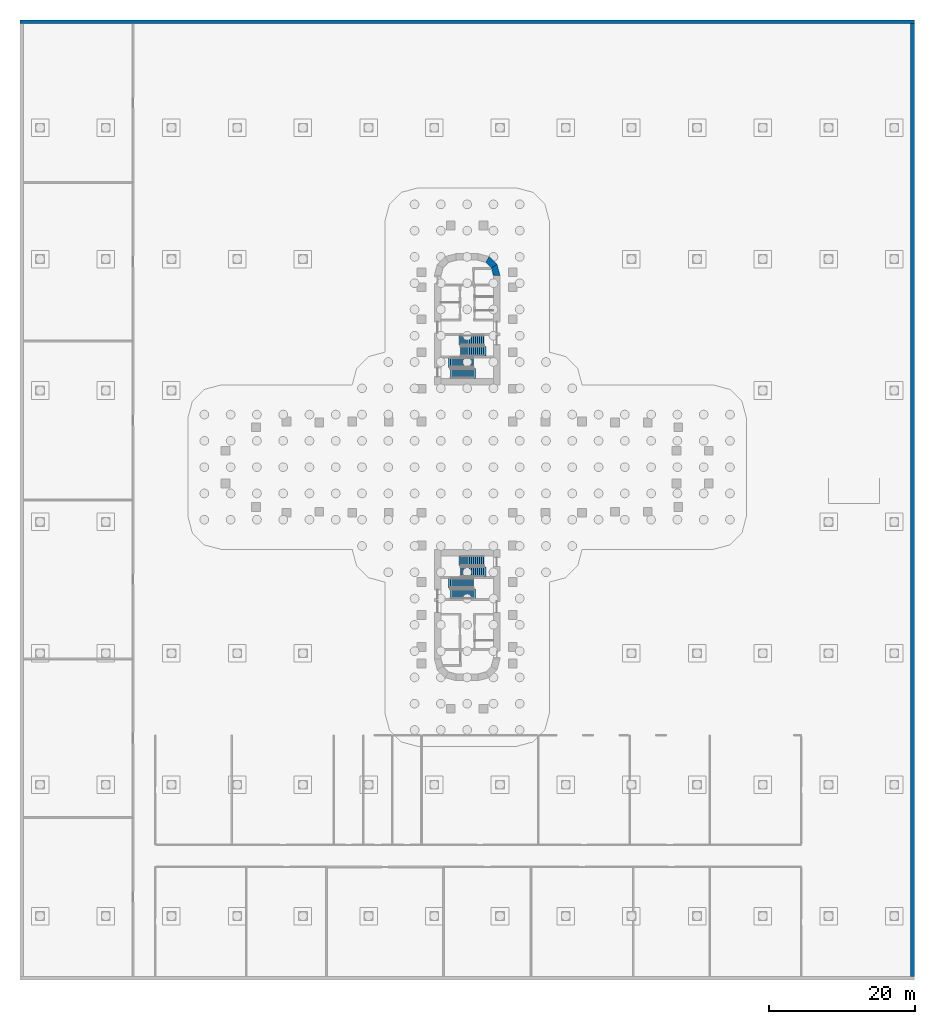
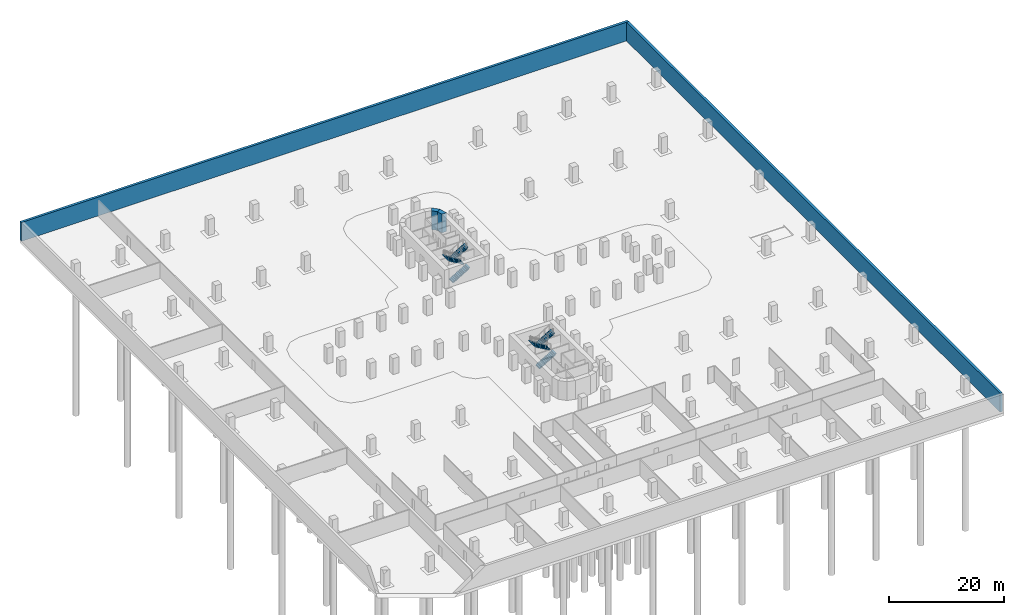
# One storey, part 13 of 14: 8 stair flights, 4 walls, 4 elements without a shape of their own.
"""IFC4 building model written with IfcOpenShell, lengths in metres."""

from ifc_helpers import new_model, si_unit, direction, frame, frame_2d, origin, place, context, subcontext, project, spatial, polyline, rectangle, outline, extrude, material, layer, layer_set, type_object, element, aggregate, save


model = new_model("IFC4")

# Units and contexts
model_context = context("Model", 3, precision=1e-05, world=origin(), true_north=direction((0.0, 1.0)))
body_context = subcontext(model_context, "Body", "Model", "MODEL_VIEW")
ifc_project = project(units=[si_unit("LENGTHUNIT", "METRE"), si_unit("AREAUNIT", "SQUARE_METRE"), si_unit("VOLUMEUNIT", "CUBIC_METRE"), si_unit("PLANEANGLEUNIT", "RADIAN"), si_unit("MASSUNIT", "GRAM", prefix="KILO")], contexts=[model_context])

# Site, building, storey
site_placement = place(None, origin())
site = spatial("IfcSite", under=ifc_project, at=site_placement, CompositionType="ELEMENT")
building_placement = place(site_placement, origin())
building = spatial("IfcBuilding", under=site, at=building_placement, Name="Zarbagh Exchange Tower", CompositionType="ELEMENT")
storey_placement = place(building_placement, frame((0.0, 0.0, -8.0)))
storey = spatial("IfcBuildingStorey", under=building, at=storey_placement, Name="B2", CompositionType="ELEMENT", Elevation=-8.0)

# Walls
ifc_material_1 = material(Name="Concrete C40/50", Category="concrete")
ifc_layer_1 = layer(ifc_material_1, 0.5)
ifc_layer_set_1 = layer_set([ifc_layer_1], Name="RC basement retaining wall 500 C40/50")
wall_type_1 = type_object("IfcWallType", Name="RC basement retaining wall 500 C40/50", PredefinedType="SOLIDWALL", material=ifc_layer_set_1)
wall_1_placement = place(storey_placement, frame((-61.25, 61.0, 0.0), z_axis=(0.0, 0.0, 1.0), x_axis=(1.0, 0.0, 0.0)))
element("IfcWall", 1, at=wall_1_placement, inside=storey, type_object=wall_type_1, Name="CW12 basement", PredefinedType="SOLIDWALL", context=body_context, shape_type="SweptSolid", body=[
    extrude(rectangle(XDim=122.5, YDim=0.5, at=frame_2d((61.25, 0.0))), origin(), (0.0, 0.0, 1.0), 4.0),
])
wall_2_placement = place(storey_placement, frame((61.0, -69.75, 0.0), z_axis=(0.0, 0.0, 1.0), x_axis=(0.0, 1.0, 0.0)))
element("IfcWall", 2, at=wall_2_placement, inside=storey, type_object=wall_type_1, Name="CW12 basement", PredefinedType="SOLIDWALL", context=body_context, shape_type="SweptSolid", body=[
    extrude(rectangle(XDim=130.5, YDim=0.5, at=frame_2d((65.25, 0.0))), origin(), (0.0, 0.0, 1.0), 4.0),
])
ifc_material_2 = material(Name="Concrete C60/75", Category="concrete")
ifc_layer_2 = layer(ifc_material_2, 0.89990234375)
ifc_layer_set_2 = layer_set([ifc_layer_2], Name="RC core corner wall 900 C60/75")
wall_type_2 = type_object("IfcWallType", Name="RC core corner wall 900 C60/75", PredefinedType="SHEAR", material=ifc_layer_set_2)
wall_3_placement = place(storey_placement, origin())
element("IfcWall", 3, at=wall_3_placement, inside=storey, type_object=wall_type_2, Name="CW2 core N corner E", PredefinedType="SHEAR", context=body_context, shape_type="SweptSolid", body=[
    extrude(outline(polyline([(4.5, 26.25), (4.09814453125, 27.75), (3.318603515625, 27.300048828125), (3.60009765625, 26.25), (4.5, 26.25)])), origin(), (0.0, 0.0, 1.0), 4.0),
])
wall_4_placement = place(storey_placement, origin())
element("IfcWall", 4, at=wall_4_placement, inside=storey, type_object=wall_type_2, Name="CW2 core N corner E", PredefinedType="SHEAR", context=body_context, shape_type="SweptSolid", body=[
    extrude(outline(polyline([(4.09814453125, 27.75), (3.0, 28.84814453125), (2.550048828125, 28.068603515625), (3.318603515625, 27.300048828125), (4.09814453125, 27.75)])), origin(), (0.0, 0.0, 1.0), 4.0),
])

# Stair, stair flights
stair_type = type_object("IfcStairType", Name="Exit stair two-flight half-turn", PredefinedType="HALF_TURN_STAIR", material=ifc_material_1)
stair_1_placement = place(storey_placement, origin())
stair_1 = element("IfcStair", 5, at=stair_1_placement, inside=storey, type_object=stair_type, Name="exit stair ST1", PredefinedType="HALF_TURN_STAIR")
stair_flight_type = type_object("IfcStairFlightType", Name="Stair flight 1350 mm", PredefinedType="STRAIGHT", material=ifc_material_1)
stair_flight_1_placement = place(storey_placement, frame((2.25, 17.375, 0.0), z_axis=(0.0, 0.0, 1.0), x_axis=(-1.0, 0.0, 0.0)))
stair_flight_1 = element("IfcStairFlight", 6, at=stair_flight_1_placement, type_object=stair_flight_type, Name="ST1 flight 1", NumberOfRisers=12, NumberOfTreads=11, PredefinedType="STRAIGHT", RiserHeight=0.166666667, TreadLength=0.28, context=body_context, shape_type="SweptSolid", body=[
    extrude(outline(polyline([(-0.050048828125, -0.050048828125), (-0.050048828125, 0.0), (0.0, 0.0), (0.0, 0.166748046875), (0.280029296875, 0.166748046875), (0.280029296875, 0.333251953125), (0.56005859375, 0.333251953125), (0.56005859375, 0.5), (0.840087890625, 0.5), (0.840087890625, 0.666748046875), (1.1201171875, 0.666748046875), (1.1201171875, 0.833251953125), (1.39990234375, 0.833251953125), (1.39990234375, 1.0), (1.679931640625, 1.0), (1.679931640625, 1.166748046875), (1.9599609375, 1.166748046875), (1.9599609375, 1.333251953125), (2.239990234375, 1.333251953125), (2.239990234375, 1.5), (2.52001953125, 1.5), (2.52001953125, 1.666748046875), (2.800048828125, 1.666748046875), (2.800048828125, 1.833251953125), (3.080078125, 1.833251953125), (3.080078125, 2.0), (3.3798828125, 2.080078125), (3.3798828125, 2.0), (3.080078125, 1.658935546875), (0.29296875, 0.0), (-0.050048828125, -0.050048828125)])), frame((0.0, 0.675048828125, 0.0), z_axis=(0.0, -1.0, 0.0), x_axis=(1.0, 0.0, 0.0)), (0.0, 0.0, 1.0), 1.35009765625),
])
stair_flight_2_placement = place(storey_placement, frame((-0.830078125, 15.875, 2.0), z_axis=(0.0, 0.0, 1.0), x_axis=(1.0, 0.0, 0.0)))
stair_flight_2 = element("IfcStairFlight", 7, at=stair_flight_2_placement, type_object=stair_flight_type, Name="ST1 flight 2", NumberOfRisers=12, NumberOfTreads=11, PredefinedType="STRAIGHT", RiserHeight=0.166666667, TreadLength=0.28, context=body_context, shape_type="SweptSolid", body=[
    extrude(outline(polyline([(-0.050048828125, -0.050048828125), (-0.050048828125, 0.0), (0.0, 0.0), (0.0, 0.166748046875), (0.280029296875, 0.166748046875), (0.280029296875, 0.333251953125), (0.56005859375, 0.333251953125), (0.56005859375, 0.5), (0.840087890625, 0.5), (0.840087890625, 0.666748046875), (1.1201171875, 0.666748046875), (1.1201171875, 0.833251953125), (1.39990234375, 0.833251953125), (1.39990234375, 1.0), (1.679931640625, 1.0), (1.679931640625, 1.166748046875), (1.9599609375, 1.166748046875), (1.9599609375, 1.333251953125), (2.239990234375, 1.333251953125), (2.239990234375, 1.5), (2.52001953125, 1.5), (2.52001953125, 1.666748046875), (2.800048828125, 1.666748046875), (2.800048828125, 1.833251953125), (3.080078125, 1.833251953125), (3.080078125, 2.0), (3.3798828125, 2.080078125), (3.3798828125, 2.0), (3.080078125, 1.658935546875), (0.29296875, 0.0), (-0.050048828125, -0.050048828125)])), frame((0.0, 0.675048828125, 0.0), z_axis=(0.0, -1.0, 0.0), x_axis=(1.0, 0.0, 0.0)), (0.0, 0.0, 1.0), 1.35009765625),
])
aggregate(stair_1, [stair_flight_1, stair_flight_2])

stair_2_placement = place(storey_placement, origin())
stair_2 = element("IfcStair", 8, at=stair_2_placement, inside=storey, type_object=stair_type, Name="exit stair ST2", PredefinedType="HALF_TURN_STAIR")
stair_flight_3_placement = place(storey_placement, frame((-2.25, 12.824951171875, 0.0), z_axis=(0.0, 0.0, 1.0), x_axis=(1.0, 0.0, 0.0)))
stair_flight_3 = element("IfcStairFlight", 9, at=stair_flight_3_placement, type_object=stair_flight_type, Name="ST2 flight 1", NumberOfRisers=12, NumberOfTreads=11, PredefinedType="STRAIGHT", RiserHeight=0.166666667, TreadLength=0.28, context=body_context, shape_type="SweptSolid", body=[
    extrude(outline(polyline([(-0.050048828125, -0.050048828125), (-0.050048828125, 0.0), (0.0, 0.0), (0.0, 0.166748046875), (0.280029296875, 0.166748046875), (0.280029296875, 0.333251953125), (0.56005859375, 0.333251953125), (0.56005859375, 0.5), (0.840087890625, 0.5), (0.840087890625, 0.666748046875), (1.1201171875, 0.666748046875), (1.1201171875, 0.833251953125), (1.39990234375, 0.833251953125), (1.39990234375, 1.0), (1.679931640625, 1.0), (1.679931640625, 1.166748046875), (1.9599609375, 1.166748046875), (1.9599609375, 1.333251953125), (2.239990234375, 1.333251953125), (2.239990234375, 1.5), (2.52001953125, 1.5), (2.52001953125, 1.666748046875), (2.800048828125, 1.666748046875), (2.800048828125, 1.833251953125), (3.080078125, 1.833251953125), (3.080078125, 2.0), (3.3798828125, 2.080078125), (3.3798828125, 2.0), (3.080078125, 1.658935546875), (0.29296875, 0.0), (-0.050048828125, -0.050048828125)])), frame((0.0, 0.675048828125, 0.0), z_axis=(0.0, -1.0, 0.0), x_axis=(1.0, 0.0, 0.0)), (0.0, 0.0, 1.0), 1.35009765625),
])
stair_flight_4_placement = place(storey_placement, frame((0.830078125, 14.324951171875, 2.0), z_axis=(0.0, 0.0, 1.0), x_axis=(-1.0, 0.0, 0.0)))
stair_flight_4 = element("IfcStairFlight", 10, at=stair_flight_4_placement, type_object=stair_flight_type, Name="ST2 flight 2", NumberOfRisers=12, NumberOfTreads=11, PredefinedType="STRAIGHT", RiserHeight=0.166666667, TreadLength=0.28, context=body_context, shape_type="SweptSolid", body=[
    extrude(outline(polyline([(-0.050048828125, -0.050048828125), (-0.050048828125, 0.0), (0.0, 0.0), (0.0, 0.166748046875), (0.280029296875, 0.166748046875), (0.280029296875, 0.333251953125), (0.56005859375, 0.333251953125), (0.56005859375, 0.5), (0.840087890625, 0.5), (0.840087890625, 0.666748046875), (1.1201171875, 0.666748046875), (1.1201171875, 0.833251953125), (1.39990234375, 0.833251953125), (1.39990234375, 1.0), (1.679931640625, 1.0), (1.679931640625, 1.166748046875), (1.9599609375, 1.166748046875), (1.9599609375, 1.333251953125), (2.239990234375, 1.333251953125), (2.239990234375, 1.5), (2.52001953125, 1.5), (2.52001953125, 1.666748046875), (2.800048828125, 1.666748046875), (2.800048828125, 1.833251953125), (3.080078125, 1.833251953125), (3.080078125, 2.0), (3.3798828125, 2.080078125), (3.3798828125, 2.0), (3.080078125, 1.658935546875), (0.29296875, 0.0), (-0.050048828125, -0.050048828125)])), frame((0.0, 0.675048828125, 0.0), z_axis=(0.0, -1.0, 0.0), x_axis=(1.0, 0.0, 0.0)), (0.0, 0.0, 1.0), 1.35009765625),
])
aggregate(stair_2, [stair_flight_3, stair_flight_4])

stair_3_placement = place(storey_placement, origin())
stair_3 = element("IfcStair", 11, at=stair_3_placement, inside=storey, type_object=stair_type, Name="exit stair ST3", PredefinedType="HALF_TURN_STAIR")
stair_flight_5_placement = place(storey_placement, frame((-2.25, -17.375, 0.0), z_axis=(0.0, 0.0, 1.0), x_axis=(1.0, 0.0, 0.0)))
stair_flight_5 = element("IfcStairFlight", 12, at=stair_flight_5_placement, type_object=stair_flight_type, Name="ST3 flight 1", NumberOfRisers=12, NumberOfTreads=11, PredefinedType="STRAIGHT", RiserHeight=0.166666667, TreadLength=0.28, context=body_context, shape_type="SweptSolid", body=[
    extrude(outline(polyline([(-0.050048828125, -0.050048828125), (-0.050048828125, 0.0), (0.0, 0.0), (0.0, 0.166748046875), (0.280029296875, 0.166748046875), (0.280029296875, 0.333251953125), (0.56005859375, 0.333251953125), (0.56005859375, 0.5), (0.840087890625, 0.5), (0.840087890625, 0.666748046875), (1.1201171875, 0.666748046875), (1.1201171875, 0.833251953125), (1.39990234375, 0.833251953125), (1.39990234375, 1.0), (1.679931640625, 1.0), (1.679931640625, 1.166748046875), (1.9599609375, 1.166748046875), (1.9599609375, 1.333251953125), (2.239990234375, 1.333251953125), (2.239990234375, 1.5), (2.52001953125, 1.5), (2.52001953125, 1.666748046875), (2.800048828125, 1.666748046875), (2.800048828125, 1.833251953125), (3.080078125, 1.833251953125), (3.080078125, 2.0), (3.3798828125, 2.080078125), (3.3798828125, 2.0), (3.080078125, 1.658935546875), (0.29296875, 0.0), (-0.050048828125, -0.050048828125)])), frame((0.0, 0.675048828125, 0.0), z_axis=(0.0, -1.0, 0.0), x_axis=(1.0, 0.0, 0.0)), (0.0, 0.0, 1.0), 1.35009765625),
])
stair_flight_6_placement = place(storey_placement, frame((0.830078125, -15.875, 2.0), z_axis=(0.0, 0.0, 1.0), x_axis=(-1.0, 0.0, 0.0)))
stair_flight_6 = element("IfcStairFlight", 13, at=stair_flight_6_placement, type_object=stair_flight_type, Name="ST3 flight 2", NumberOfRisers=12, NumberOfTreads=11, PredefinedType="STRAIGHT", RiserHeight=0.166666667, TreadLength=0.28, context=body_context, shape_type="SweptSolid", body=[
    extrude(outline(polyline([(-0.050048828125, -0.050048828125), (-0.050048828125, 0.0), (0.0, 0.0), (0.0, 0.166748046875), (0.280029296875, 0.166748046875), (0.280029296875, 0.333251953125), (0.56005859375, 0.333251953125), (0.56005859375, 0.5), (0.840087890625, 0.5), (0.840087890625, 0.666748046875), (1.1201171875, 0.666748046875), (1.1201171875, 0.833251953125), (1.39990234375, 0.833251953125), (1.39990234375, 1.0), (1.679931640625, 1.0), (1.679931640625, 1.166748046875), (1.9599609375, 1.166748046875), (1.9599609375, 1.333251953125), (2.239990234375, 1.333251953125), (2.239990234375, 1.5), (2.52001953125, 1.5), (2.52001953125, 1.666748046875), (2.800048828125, 1.666748046875), (2.800048828125, 1.833251953125), (3.080078125, 1.833251953125), (3.080078125, 2.0), (3.3798828125, 2.080078125), (3.3798828125, 2.0), (3.080078125, 1.658935546875), (0.29296875, 0.0), (-0.050048828125, -0.050048828125)])), frame((0.0, 0.675048828125, 0.0), z_axis=(0.0, -1.0, 0.0), x_axis=(1.0, 0.0, 0.0)), (0.0, 0.0, 1.0), 1.35009765625),
])
aggregate(stair_3, [stair_flight_5, stair_flight_6])

stair_4_placement = place(storey_placement, origin())
stair_4 = element("IfcStair", 14, at=stair_4_placement, inside=storey, type_object=stair_type, Name="exit stair ST4", PredefinedType="HALF_TURN_STAIR")
stair_flight_7_placement = place(storey_placement, frame((2.25, -12.824951171875, 0.0), z_axis=(0.0, 0.0, 1.0), x_axis=(-1.0, 0.0, 0.0)))
stair_flight_7 = element("IfcStairFlight", 15, at=stair_flight_7_placement, type_object=stair_flight_type, Name="ST4 flight 1", NumberOfRisers=12, NumberOfTreads=11, PredefinedType="STRAIGHT", RiserHeight=0.166666667, TreadLength=0.28, context=body_context, shape_type="SweptSolid", body=[
    extrude(outline(polyline([(-0.050048828125, -0.050048828125), (-0.050048828125, 0.0), (0.0, 0.0), (0.0, 0.166748046875), (0.280029296875, 0.166748046875), (0.280029296875, 0.333251953125), (0.56005859375, 0.333251953125), (0.56005859375, 0.5), (0.840087890625, 0.5), (0.840087890625, 0.666748046875), (1.1201171875, 0.666748046875), (1.1201171875, 0.833251953125), (1.39990234375, 0.833251953125), (1.39990234375, 1.0), (1.679931640625, 1.0), (1.679931640625, 1.166748046875), (1.9599609375, 1.166748046875), (1.9599609375, 1.333251953125), (2.239990234375, 1.333251953125), (2.239990234375, 1.5), (2.52001953125, 1.5), (2.52001953125, 1.666748046875), (2.800048828125, 1.666748046875), (2.800048828125, 1.833251953125), (3.080078125, 1.833251953125), (3.080078125, 2.0), (3.3798828125, 2.080078125), (3.3798828125, 2.0), (3.080078125, 1.658935546875), (0.29296875, 0.0), (-0.050048828125, -0.050048828125)])), frame((0.0, 0.675048828125, 0.0), z_axis=(0.0, -1.0, 0.0), x_axis=(1.0, 0.0, 0.0)), (0.0, 0.0, 1.0), 1.35009765625),
])
stair_flight_8_placement = place(storey_placement, frame((-0.830078125, -14.324951171875, 2.0), z_axis=(0.0, 0.0, 1.0), x_axis=(1.0, 0.0, 0.0)))
stair_flight_8 = element("IfcStairFlight", 16, at=stair_flight_8_placement, type_object=stair_flight_type, Name="ST4 flight 2", NumberOfRisers=12, NumberOfTreads=11, PredefinedType="STRAIGHT", RiserHeight=0.166666667, TreadLength=0.28, context=body_context, shape_type="SweptSolid", body=[
    extrude(outline(polyline([(-0.050048828125, -0.050048828125), (-0.050048828125, 0.0), (0.0, 0.0), (0.0, 0.166748046875), (0.280029296875, 0.166748046875), (0.280029296875, 0.333251953125), (0.56005859375, 0.333251953125), (0.56005859375, 0.5), (0.840087890625, 0.5), (0.840087890625, 0.666748046875), (1.1201171875, 0.666748046875), (1.1201171875, 0.833251953125), (1.39990234375, 0.833251953125), (1.39990234375, 1.0), (1.679931640625, 1.0), (1.679931640625, 1.166748046875), (1.9599609375, 1.166748046875), (1.9599609375, 1.333251953125), (2.239990234375, 1.333251953125), (2.239990234375, 1.5), (2.52001953125, 1.5), (2.52001953125, 1.666748046875), (2.800048828125, 1.666748046875), (2.800048828125, 1.833251953125), (3.080078125, 1.833251953125), (3.080078125, 2.0), (3.3798828125, 2.080078125), (3.3798828125, 2.0), (3.080078125, 1.658935546875), (0.29296875, 0.0), (-0.050048828125, -0.050048828125)])), frame((0.0, 0.675048828125, 0.0), z_axis=(0.0, -1.0, 0.0), x_axis=(1.0, 0.0, 0.0)), (0.0, 0.0, 1.0), 1.35009765625),
])
aggregate(stair_4, [stair_flight_7, stair_flight_8])

save(model, "model.ifc")
